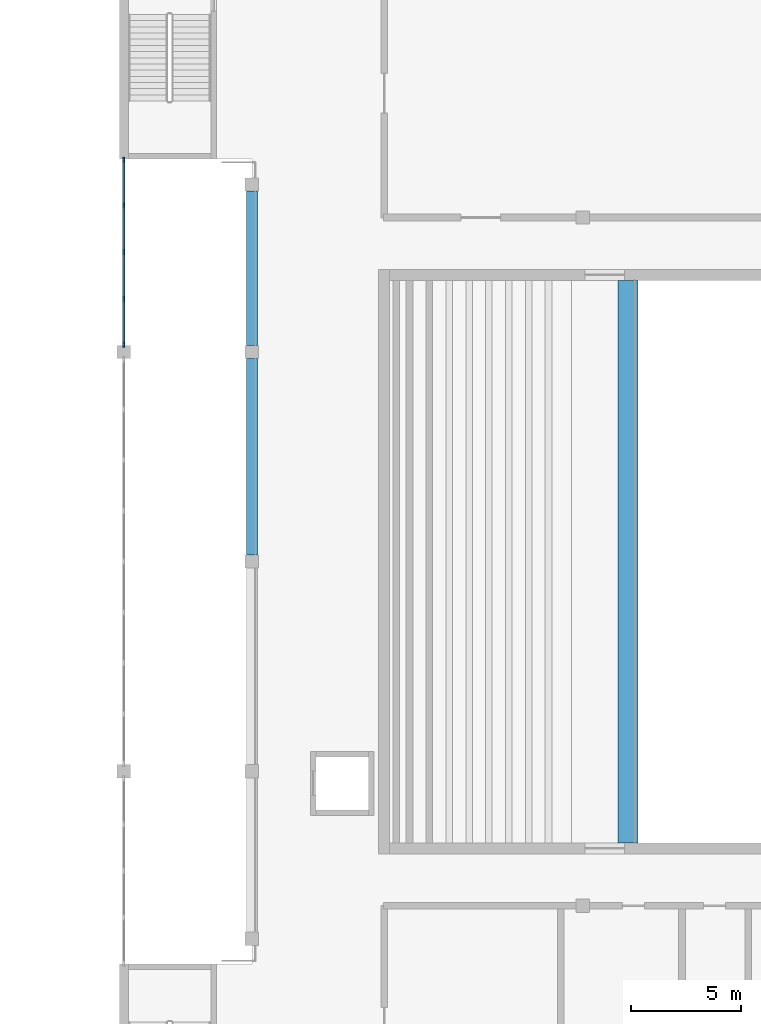
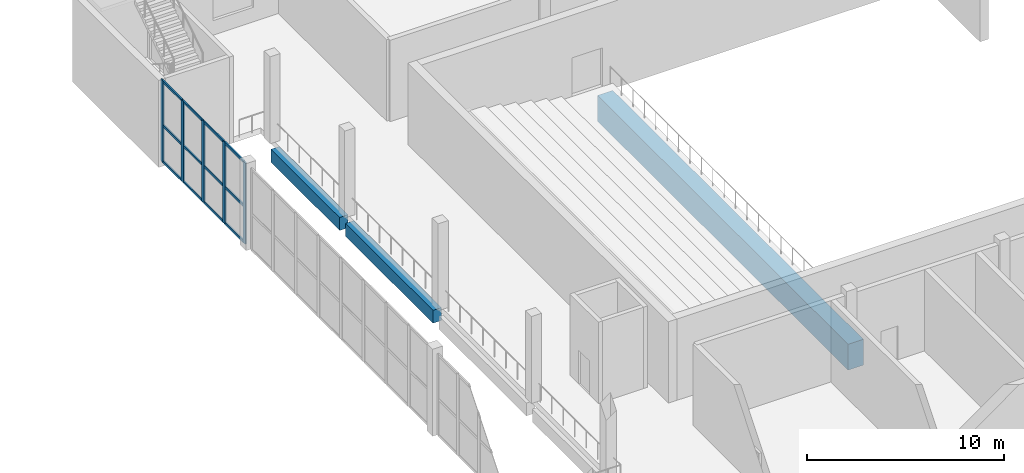
# One storey, part 10 of 43: 17 members, 3 beams, 1 element without a shape of its own.
"""IFC4 building model written with IfcOpenShell, lengths in metres."""

from ifc_helpers import new_model, si_unit, direction, frame, origin, origin_2d, place, context, subcontext, project, spatial, rectangle, extrude, material, material_profile, profile_set, type_object, element, aggregate, save


model = new_model("IFC4")

# Units and contexts
model_context = context("Model", 3, precision=1e-05, world=origin(), true_north=direction((0.0, 1.0)))
body_context = subcontext(model_context, "Body", "Model", "MODEL_VIEW")
ifc_project = project(units=[si_unit("LENGTHUNIT", "METRE"), si_unit("AREAUNIT", "SQUARE_METRE"), si_unit("VOLUMEUNIT", "CUBIC_METRE"), si_unit("PLANEANGLEUNIT", "RADIAN"), si_unit("MASSUNIT", "GRAM", prefix="KILO")], contexts=[model_context])

# Site, building, storey
site_placement = place(None, origin())
site = spatial("IfcSite", under=ifc_project, at=site_placement, CompositionType="ELEMENT")
building_placement = place(site_placement, origin())
building = spatial("IfcBuilding", under=site, at=building_placement, Name="Hunhe Ridgeline Campus", CompositionType="ELEMENT")
storey_placement = place(building_placement, frame((0.0, 0.0, 11.39990234375)))
storey = spatial("IfcBuildingStorey", under=building, at=storey_placement, Name="L02", CompositionType="ELEMENT", Elevation=11.39990234375)

# Curtain wall, members
ifc_material_1 = material(Name="Aluminium and glass", Category="aluminium")
curtain_wall_type = type_object("IfcCurtainWallType", Name="Hall foyer curtain wall CW-H", PredefinedType="NOTDEFINED", material=ifc_material_1)
curtain_wall_placement = place(storey_placement, origin())
curtain_wall = element("IfcCurtainWall", 1, at=curtain_wall_placement, inside=storey, type_object=curtain_wall_type, Name="L02 foyer curtain wall 9", PredefinedType="NOTDEFINED")
ifc_material_2 = material(Name="Aluminium", Category="aluminium")
ifc_material_profile_1 = material_profile(ifc_material_2, rectangle(XDim=0.080078125, YDim=0.25, at=origin_2d()))
ifc_profile_set_1 = profile_set([ifc_material_profile_1], Name="Aluminium")
member_type_1 = type_object("IfcMemberType", Name="CW-H mullion 80x250", PredefinedType="MULLION", material=ifc_profile_set_1)
member_1_placement = place(storey_placement, frame((150.199951171875, 59.340087890625, 0.0), z_axis=(0.0, 0.0, 1.0), x_axis=(-1.0, 0.0, 0.0)))
member_1 = element("IfcMember", 2, at=member_1_placement, type_object=member_type_1, Name="HCW1 mullion 1", PredefinedType="MULLION", context=body_context, shape_type="SweptSolid", body=[
    extrude(rectangle(XDim=0.080078125, YDim=0.25, at=origin_2d()), origin(), (0.0, 0.0, 1.0), 5.050048828125),
])
member_2_placement = place(storey_placement, frame((150.199951171875, 61.41259765625, 0.0), z_axis=(0.0, 0.0, 1.0), x_axis=(-1.0, 0.0, 0.0)))
member_2 = element("IfcMember", 3, at=member_2_placement, type_object=member_type_1, Name="HCW1 mullion 2", PredefinedType="MULLION", context=body_context, shape_type="SweptSolid", body=[
    extrude(rectangle(XDim=0.080078125, YDim=0.25, at=origin_2d()), origin(), (0.0, 0.0, 1.0), 5.050048828125),
])
member_3_placement = place(storey_placement, frame((150.199951171875, 63.52490234375, 0.0), z_axis=(0.0, 0.0, 1.0), x_axis=(-1.0, 0.0, 0.0)))
member_3 = element("IfcMember", 4, at=member_3_placement, type_object=member_type_1, Name="HCW1 mullion 3", PredefinedType="MULLION", context=body_context, shape_type="SweptSolid", body=[
    extrude(rectangle(XDim=0.080078125, YDim=0.25, at=origin_2d()), origin(), (0.0, 0.0, 1.0), 5.050048828125),
])
member_4_placement = place(storey_placement, frame((150.199951171875, 65.637451171875, 0.0), z_axis=(0.0, 0.0, 1.0), x_axis=(-1.0, 0.0, 0.0)))
member_4 = element("IfcMember", 5, at=member_4_placement, type_object=member_type_1, Name="HCW1 mullion 4", PredefinedType="MULLION", context=body_context, shape_type="SweptSolid", body=[
    extrude(rectangle(XDim=0.080078125, YDim=0.25, at=origin_2d()), origin(), (0.0, 0.0, 1.0), 5.050048828125),
])
member_5_placement = place(storey_placement, frame((150.199951171875, 67.7099609375, 0.0), z_axis=(0.0, 0.0, 1.0), x_axis=(-1.0, 0.0, 0.0)))
member_5 = element("IfcMember", 6, at=member_5_placement, type_object=member_type_1, Name="HCW1 mullion 5", PredefinedType="MULLION", context=body_context, shape_type="SweptSolid", body=[
    extrude(rectangle(XDim=0.080078125, YDim=0.25, at=origin_2d()), origin(), (0.0, 0.0, 1.0), 5.050048828125),
])
ifc_material_profile_2 = material_profile(ifc_material_2, rectangle(XDim=0.080078125, YDim=0.14990234375, at=origin_2d()))
ifc_profile_set_2 = profile_set([ifc_material_profile_2], Name="Aluminium")
member_type_2 = type_object("IfcMemberType", Name="CW-H transom 80x150", PredefinedType="USERDEFINED", material=ifc_profile_set_2)
member_6_placement = place(storey_placement, frame((150.199951171875, 59.3798828125, 0.0400390625), z_axis=(0.0, 1.0, 0.0), x_axis=(-1.0, 0.0, 0.0)))
member_6 = element("IfcMember", 7, at=member_6_placement, type_object=member_type_2, Name="HCW1 transom 1.1", ObjectType="TRANSOM", PredefinedType="USERDEFINED", context=body_context, shape_type="SweptSolid", body=[
    extrude(rectangle(XDim=0.080078125, YDim=0.14990234375, at=origin_2d()), origin(), (0.0, 0.0, 1.0), 1.99267578125),
])
member_7_placement = place(storey_placement, frame((150.199951171875, 59.3798828125, 2.272705078125), z_axis=(0.0, 1.0, 0.0), x_axis=(-1.0, 0.0, 0.0)))
member_7 = element("IfcMember", 8, at=member_7_placement, type_object=member_type_2, Name="HCW1 transom 1.2", ObjectType="TRANSOM", PredefinedType="USERDEFINED", context=body_context, shape_type="SweptSolid", body=[
    extrude(rectangle(XDim=0.080078125, YDim=0.14990234375, at=origin_2d()), origin(), (0.0, 0.0, 1.0), 1.99267578125),
])
member_8_placement = place(storey_placement, frame((150.199951171875, 59.3798828125, 5.010009765625), z_axis=(0.0, 1.0, 0.0), x_axis=(-1.0, 0.0, 0.0)))
member_8 = element("IfcMember", 9, at=member_8_placement, type_object=member_type_2, Name="HCW1 transom 1.3", ObjectType="TRANSOM", PredefinedType="USERDEFINED", context=body_context, shape_type="SweptSolid", body=[
    extrude(rectangle(XDim=0.080078125, YDim=0.14990234375, at=origin_2d()), origin(), (0.0, 0.0, 1.0), 1.99267578125),
])
member_9_placement = place(storey_placement, frame((150.199951171875, 61.452392578125, 0.0400390625), z_axis=(0.0, 1.0, 0.0), x_axis=(-1.0, 0.0, 0.0)))
member_9 = element("IfcMember", 10, at=member_9_placement, type_object=member_type_2, Name="HCW1 transom 2.1", ObjectType="TRANSOM", PredefinedType="USERDEFINED", context=body_context, shape_type="SweptSolid", body=[
    extrude(rectangle(XDim=0.080078125, YDim=0.14990234375, at=origin_2d()), origin(), (0.0, 0.0, 1.0), 2.03271484375),
])
member_10_placement = place(storey_placement, frame((150.199951171875, 61.452392578125, 2.272705078125), z_axis=(0.0, 1.0, 0.0), x_axis=(-1.0, 0.0, 0.0)))
member_10 = element("IfcMember", 11, at=member_10_placement, type_object=member_type_2, Name="HCW1 transom 2.2", ObjectType="TRANSOM", PredefinedType="USERDEFINED", context=body_context, shape_type="SweptSolid", body=[
    extrude(rectangle(XDim=0.080078125, YDim=0.14990234375, at=origin_2d()), origin(), (0.0, 0.0, 1.0), 2.03271484375),
])
member_11_placement = place(storey_placement, frame((150.199951171875, 61.452392578125, 5.010009765625), z_axis=(0.0, 1.0, 0.0), x_axis=(-1.0, 0.0, 0.0)))
member_11 = element("IfcMember", 12, at=member_11_placement, type_object=member_type_2, Name="HCW1 transom 2.3", ObjectType="TRANSOM", PredefinedType="USERDEFINED", context=body_context, shape_type="SweptSolid", body=[
    extrude(rectangle(XDim=0.080078125, YDim=0.14990234375, at=origin_2d()), origin(), (0.0, 0.0, 1.0), 2.03271484375),
])
member_12_placement = place(storey_placement, frame((150.199951171875, 63.56494140625, 0.0400390625), z_axis=(0.0, 1.0, 0.0), x_axis=(-1.0, 0.0, 0.0)))
member_12 = element("IfcMember", 13, at=member_12_placement, type_object=member_type_2, Name="HCW1 transom 3.1", ObjectType="TRANSOM", PredefinedType="USERDEFINED", context=body_context, shape_type="SweptSolid", body=[
    extrude(rectangle(XDim=0.080078125, YDim=0.14990234375, at=origin_2d()), origin(), (0.0, 0.0, 1.0), 2.032470703125),
])
member_13_placement = place(storey_placement, frame((150.199951171875, 63.56494140625, 2.272705078125), z_axis=(0.0, 1.0, 0.0), x_axis=(-1.0, 0.0, 0.0)))
member_13 = element("IfcMember", 14, at=member_13_placement, type_object=member_type_2, Name="HCW1 transom 3.2", ObjectType="TRANSOM", PredefinedType="USERDEFINED", context=body_context, shape_type="SweptSolid", body=[
    extrude(rectangle(XDim=0.080078125, YDim=0.14990234375, at=origin_2d()), origin(), (0.0, 0.0, 1.0), 2.032470703125),
])
member_14_placement = place(storey_placement, frame((150.199951171875, 63.56494140625, 5.010009765625), z_axis=(0.0, 1.0, 0.0), x_axis=(-1.0, 0.0, 0.0)))
member_14 = element("IfcMember", 15, at=member_14_placement, type_object=member_type_2, Name="HCW1 transom 3.3", ObjectType="TRANSOM", PredefinedType="USERDEFINED", context=body_context, shape_type="SweptSolid", body=[
    extrude(rectangle(XDim=0.080078125, YDim=0.14990234375, at=origin_2d()), origin(), (0.0, 0.0, 1.0), 2.032470703125),
])
member_15_placement = place(storey_placement, frame((150.199951171875, 65.677490234375, 0.0400390625), z_axis=(0.0, 1.0, 0.0), x_axis=(-1.0, 0.0, 0.0)))
member_15 = element("IfcMember", 16, at=member_15_placement, type_object=member_type_2, Name="HCW1 transom 4.1", ObjectType="TRANSOM", PredefinedType="USERDEFINED", context=body_context, shape_type="SweptSolid", body=[
    extrude(rectangle(XDim=0.080078125, YDim=0.14990234375, at=origin_2d()), origin(), (0.0, 0.0, 1.0), 1.992431640625),
])
member_16_placement = place(storey_placement, frame((150.199951171875, 65.677490234375, 2.272705078125), z_axis=(0.0, 1.0, 0.0), x_axis=(-1.0, 0.0, 0.0)))
member_16 = element("IfcMember", 17, at=member_16_placement, type_object=member_type_2, Name="HCW1 transom 4.2", ObjectType="TRANSOM", PredefinedType="USERDEFINED", context=body_context, shape_type="SweptSolid", body=[
    extrude(rectangle(XDim=0.080078125, YDim=0.14990234375, at=origin_2d()), origin(), (0.0, 0.0, 1.0), 1.992431640625),
])
member_17_placement = place(storey_placement, frame((150.199951171875, 65.677490234375, 5.010009765625), z_axis=(0.0, 1.0, 0.0), x_axis=(-1.0, 0.0, 0.0)))
member_17 = element("IfcMember", 18, at=member_17_placement, type_object=member_type_2, Name="HCW1 transom 4.3", ObjectType="TRANSOM", PredefinedType="USERDEFINED", context=body_context, shape_type="SweptSolid", body=[
    extrude(rectangle(XDim=0.080078125, YDim=0.14990234375, at=origin_2d()), origin(), (0.0, 0.0, 1.0), 1.992431640625),
])
aggregate(curtain_wall, [member_1, member_2, member_3, member_4, member_5, member_6, member_7, member_8, member_9, member_10, member_11, member_12, member_13, member_14, member_15, member_16, member_17])

# Beams
ifc_material_3 = material(Name="Concrete C50", Category="concrete")
ifc_material_profile_3 = material_profile(ifc_material_3, rectangle(XDim=0.89990234375, YDim=1.60009765625, at=origin_2d()))
ifc_profile_set_3 = profile_set([ifc_material_profile_3], Name="Concrete C50")
beam_type_1 = type_object("IfcBeamType", Name="Hall RC circle beam 900x1600 C50", PredefinedType="BEAM", material=ifc_profile_set_3)
beam_1_placement = place(storey_placement, frame((173.050048828125, 36.75, -1.25), z_axis=(0.0, 1.0, 0.0), x_axis=(-1.0, 0.0, 0.0)))
element("IfcBeam", 19, at=beam_1_placement, inside=storey, type_object=beam_type_1, Name="Circle tier 2 front beam", PredefinedType="BEAM", context=body_context, shape_type="SweptSolid", body=[
    extrude(rectangle(XDim=0.89990234375, YDim=1.60009765625, at=origin_2d()), origin(), (0.0, 0.0, 1.0), 25.5),
])
ifc_material_4 = material(Name="Concrete C40", Category="concrete")
ifc_material_profile_4 = material_profile(ifc_material_4, rectangle(XDim=0.5, YDim=0.800048828125, at=origin_2d()))
ifc_profile_set_4 = profile_set([ifc_material_profile_4], Name="Concrete C40")
beam_type_2 = type_object("IfcBeamType", Name="Hall RC gallery edge beam 500x800 C40", PredefinedType="BEAM", material=ifc_profile_set_4)
beam_2_placement = place(storey_placement, frame((156.0, 49.800048828125, -0.75), z_axis=(0.0, 1.0, 0.0), x_axis=(-1.0, 0.0, 0.0)))
element("IfcBeam", 20, at=beam_2_placement, inside=storey, type_object=beam_type_2, Name="Hall L02 gallery edge beam 3", PredefinedType="BEAM", context=body_context, shape_type="SweptSolid", body=[
    extrude(rectangle(XDim=0.5, YDim=0.800048828125, at=origin_2d()), origin(), (0.0, 0.0, 1.0), 8.89990234375),
])
beam_3_placement = place(storey_placement, frame((156.0, 59.300048828125, -0.75), z_axis=(0.0, 1.0, 0.0), x_axis=(-1.0, 0.0, 0.0)))
element("IfcBeam", 21, at=beam_3_placement, inside=storey, type_object=beam_type_2, Name="Hall L02 gallery edge beam 4", PredefinedType="BEAM", context=body_context, shape_type="SweptSolid", body=[
    extrude(rectangle(XDim=0.5, YDim=0.800048828125, at=origin_2d()), origin(), (0.0, 0.0, 1.0), 7.0),
])

save(model, "model.ifc")
